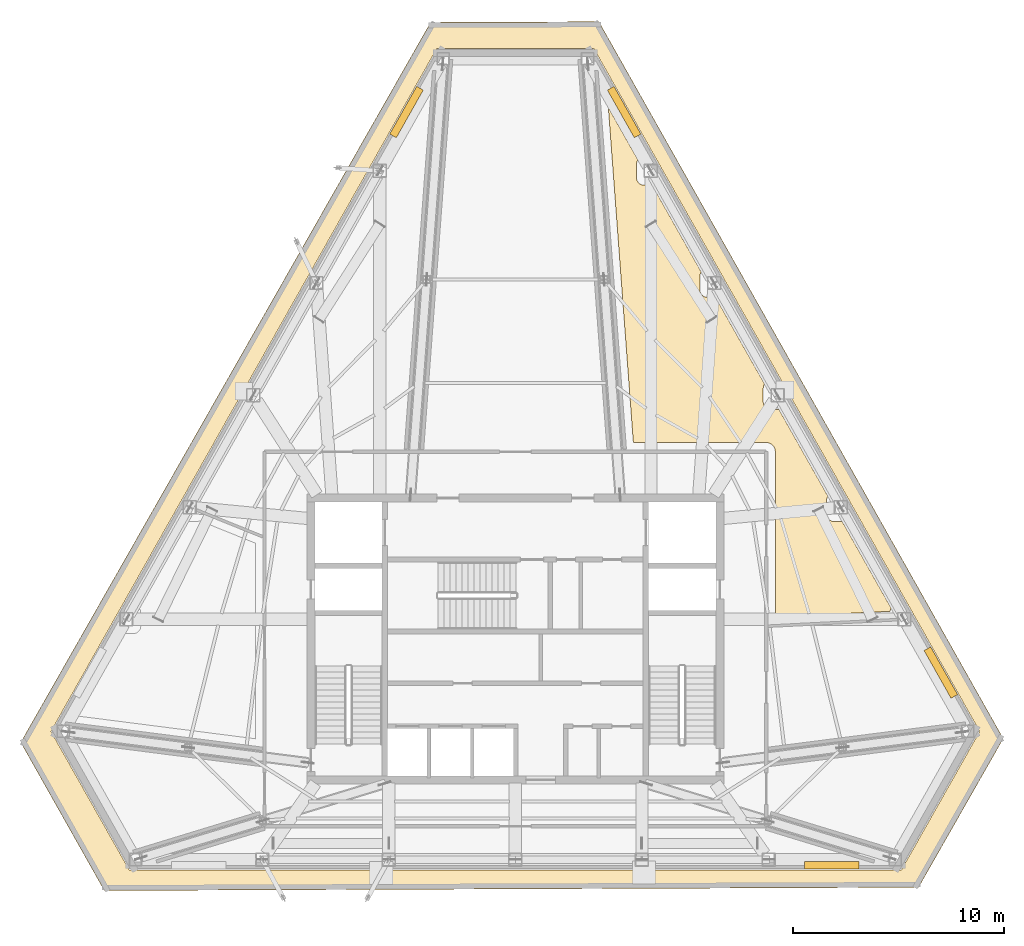
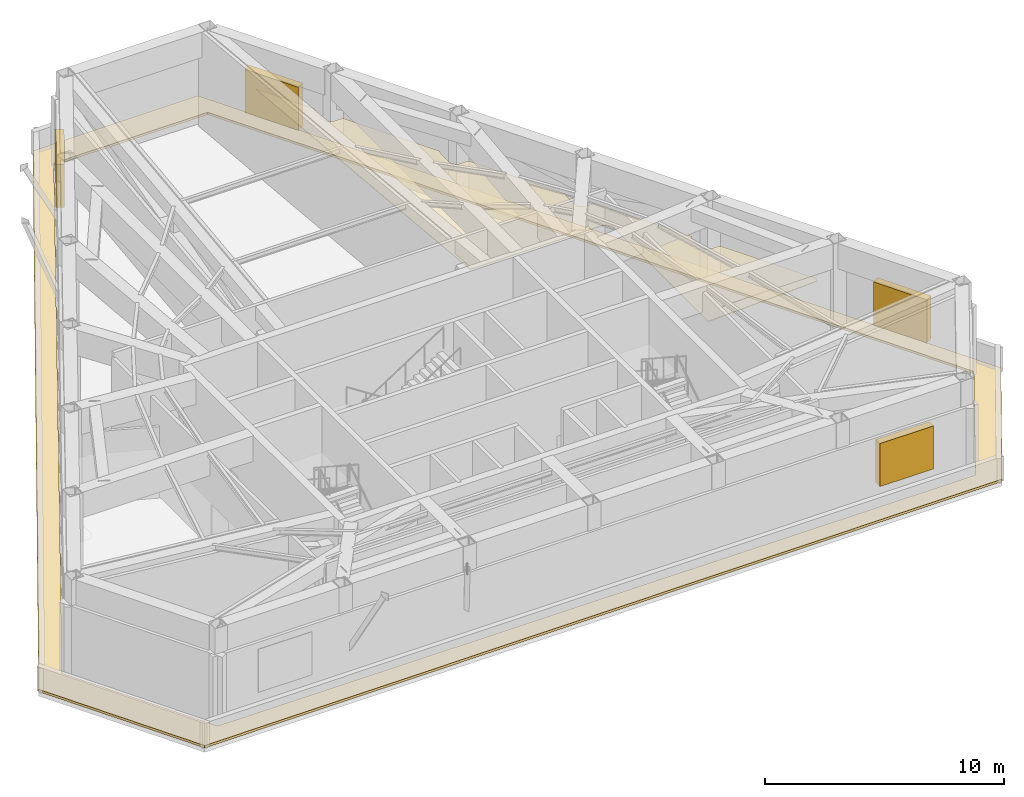
# One storey, part 13 of 13: 4 shading devices, 2 coverings.
"""IFC4 building model written with IfcOpenShell, lengths in metres."""

from ifc_helpers import new_model, si_unit, direction, frame, origin, origin_2d, place, context, subcontext, project, spatial, polyline, rectangle, outline, extrude, material, layer, layer_set, type_object, element, save


model = new_model("IFC4")

# Units and contexts
model_context = context("Model", 3, precision=1e-05, world=origin(), true_north=direction((0.0, 1.0)))
body_context = subcontext(model_context, "Body", "Model", "MODEL_VIEW")
ifc_project = project(units=[si_unit("LENGTHUNIT", "METRE"), si_unit("AREAUNIT", "SQUARE_METRE"), si_unit("VOLUMEUNIT", "CUBIC_METRE"), si_unit("PLANEANGLEUNIT", "RADIAN"), si_unit("MASSUNIT", "GRAM", prefix="KILO")], contexts=[model_context])

# Site, building, storey
site_placement = place(None, origin())
site = spatial("IfcSite", under=ifc_project, at=site_placement, CompositionType="ELEMENT")
building_placement = place(site_placement, origin())
building = spatial("IfcBuilding", under=site, at=building_placement, Name="Kavelnor Concourse Tower", CompositionType="ELEMENT")
storey_placement = place(building_placement, frame((0.0, 0.0, 234.300048828125)))
storey = spatial("IfcBuildingStorey", under=building, at=storey_placement, Name="L59", CompositionType="ELEMENT", Elevation=234.300048828125)

# Coverings
ifc_material_1 = material(Name="Mineral fibre acoustic ceiling tile")
ifc_layer_1 = layer(ifc_material_1, 0.0400390625, Name="Mineral fibre acoustic ceiling tile")
ifc_layer_set_1 = layer_set([ifc_layer_1], Name="Mineral fibre acoustic ceiling tile")
covering_type_1 = type_object("IfcCoveringType", Name="COV-CEILING-ACOUSTIC", PredefinedType="CEILING", material=ifc_layer_set_1)
covering_1_placement = place(storey_placement, frame((0.0, 0.0, 2.75)))
element("IfcCovering", 1, at=covering_1_placement, inside=storey, type_object=covering_type_1, Name="L59 Suspended Acoustic Ceiling", PredefinedType="CEILING", context=body_context, shape_type="SweptSolid", body=[
    extrude(outline(polyline([(42.416259765625, 41.326416015625), (43.818603515625, 38.844482421875), (43.816162109375, 38.84130859375), (43.7978515625, 38.81103515625), (43.78271484375, 38.779052734375), (43.77099609375, 38.74560546875), (43.76220703125, 38.71142578125), (43.757080078125, 38.676513671875), (43.755859375, 38.6494140625), (43.755859375, 37.992919921875), (43.757080078125, 37.9658203125), (43.76220703125, 37.930908203125), (43.77099609375, 37.896484375), (43.78271484375, 37.86328125), (43.7978515625, 37.831298828125), (43.816162109375, 37.80078125), (43.837158203125, 37.7724609375), (43.861083984375, 37.746337890625), (43.88720703125, 37.722412109375), (43.91552734375, 37.701416015625), (43.94580078125, 37.68310546875), (43.977783203125, 37.668212890625), (44.01123046875, 37.65625), (44.04541015625, 37.647705078125), (44.08056640625, 37.642333984375), (44.107421875, 37.64111328125), (44.498291015625, 37.64111328125), (46.825927734375, 33.521728515625), (46.823486328125, 33.5185546875), (46.805419921875, 33.48828125), (46.790283203125, 33.456298828125), (46.7783203125, 33.4228515625), (46.769775390625, 33.388671875), (46.764404296875, 33.353515625), (46.76318359375, 33.32666015625), (46.76318359375, 32.669921875), (46.764404296875, 32.64306640625), (46.769775390625, 32.60791015625), (46.7783203125, 32.57373046875), (46.790283203125, 32.540283203125), (46.805419921875, 32.50830078125), (46.823486328125, 32.47802734375), (46.844482421875, 32.44970703125), (46.868408203125, 32.423583984375), (46.89453125, 32.399658203125), (46.923095703125, 32.378662109375), (46.953369140625, 32.3603515625), (46.9853515625, 32.34521484375), (47.0185546875, 32.33349609375), (47.052978515625, 32.32470703125), (47.087890625, 32.319580078125), (47.114990234375, 32.318359375), (47.505859375, 32.318359375), (49.833251953125, 28.198974609375), (49.830810546875, 28.19580078125), (49.812744140625, 28.165283203125), (49.797607421875, 28.13330078125), (49.78564453125, 28.10009765625), (49.777099609375, 28.06591796875), (49.77197265625, 28.03076171875), (49.7705078125, 28.00390625), (49.7705078125, 27.34716796875), (49.77197265625, 27.3203125), (49.777099609375, 27.28515625), (49.78564453125, 27.2509765625), (49.797607421875, 27.217529296875), (49.812744140625, 27.185546875), (49.830810546875, 27.1552734375), (49.85205078125, 27.126953125), (49.875732421875, 27.1005859375), (49.902099609375, 27.076904296875), (49.930419921875, 27.055908203125), (49.960693359375, 27.03759765625), (49.99267578125, 27.0224609375), (50.02587890625, 27.010498046875), (50.060302734375, 27.001953125), (50.09521484375, 26.996826171875), (50.122314453125, 26.99560546875), (50.51318359375, 26.99560546875), (52.8408203125, 22.8759765625), (52.83837890625, 22.872802734375), (52.820068359375, 22.842529296875), (52.804931640625, 22.810546875), (52.793212890625, 22.777099609375), (52.784423828125, 22.742919921875), (52.779296875, 22.7080078125), (52.778076171875, 22.680908203125), (52.778076171875, 22.0244140625), (52.779296875, 21.997314453125), (52.784423828125, 21.96240234375), (52.793212890625, 21.927978515625), (52.804931640625, 21.894775390625), (52.820068359375, 21.86279296875), (52.83837890625, 21.83251953125), (52.859375, 21.803955078125), (52.88330078125, 21.77783203125), (52.909423828125, 21.75390625), (52.937744140625, 21.73291015625), (52.968017578125, 21.714599609375), (53.0, 21.69970703125), (53.033447265625, 21.687744140625), (53.067626953125, 21.67919921875), (53.102783203125, 21.673828125), (53.129638671875, 21.672607421875), (53.5205078125, 21.672607421875), (55.84814453125, 17.55322265625), (55.845703125, 17.550048828125), (55.827392578125, 17.519775390625), (55.8125, 17.48779296875), (55.800537109375, 17.454345703125), (55.7919921875, 17.420166015625), (55.79052734375, 17.411376953125), (50.342529296875, 17.136962890625), (50.342529296875, 24.998291015625), (50.3408203125, 25.032470703125), (50.334716796875, 25.074462890625), (50.32421875, 25.11572265625), (50.31005859375, 25.15576171875), (50.291748046875, 25.194091796875), (50.27001953125, 25.23046875), (50.24462890625, 25.2646484375), (50.216064453125, 25.296142578125), (50.1845703125, 25.32470703125), (50.150390625, 25.35009765625), (50.114013671875, 25.371826171875), (50.07568359375, 25.389892578125), (50.03564453125, 25.404296875), (49.994384765625, 25.41455078125), (49.952392578125, 25.4208984375), (49.918212890625, 25.422607421875), (43.60400390625, 25.422607421875), (42.416259765625, 41.326416015625)])), origin(), (0.0, 0.0, 1.0), 0.0400390625),
])
ifc_material_2 = material(Name="Elastomeric waterproofing membrane and rigid insulation")
ifc_layer_2 = layer(ifc_material_2, 0.1201171875, Name="Elastomeric waterproofing membrane and rigid insulation")
ifc_layer_set_2 = layer_set([ifc_layer_2], Name="Elastomeric waterproofing membrane and rigid insulation")
covering_type_2 = type_object("IfcCoveringType", Name="COV-ROOF-MEMBRANE", PredefinedType="ROOFING", material=ifc_layer_set_2)
covering_2_placement = place(storey_placement, origin())
element("IfcCovering", 2, at=covering_2_placement, inside=storey, type_object=covering_type_2, Name="L59 Setback Waterproofing Roof Membrane 1", PredefinedType="ROOFING", context=body_context, shape_type="SweptSolid", body=[
    extrude(outline(polyline([(61.170654296875, 11.36767578125), (57.147216796875, 4.299560546875), (18.482421875, 4.1484375), (14.51318359375, 11.185302734375), (33.976806640625, 45.377685546875), (41.96923828125, 45.4091796875), (61.170654296875, 11.36767578125)]), holes=[polyline([(34.27978515625, 44.143798828125), (15.952880859375, 11.70703125), (19.672607421875, 5.123291015625), (56.327392578125, 5.123291015625), (60.047119140625, 11.70703125), (41.72021484375, 44.143798828125), (34.27978515625, 44.143798828125)])]), origin(), (0.0, 0.0, 1.0), 0.119873046875),
])

# Shading devices
ifc_material_3 = material(Name="Architectural bronze-anodised aluminium", Category="aluminium")
ifc_layer_3 = layer(ifc_material_3, 0.074951171875, Name="Architectural bronze-anodised aluminium")
ifc_layer_set_3 = layer_set([ifc_layer_3], Name="Architectural bronze-anodised aluminium")
shading_device_type = type_object("IfcShadingDeviceType", Name="SHD-PLANT-LOUVRE", PredefinedType="USERDEFINED", material=ifc_layer_set_3)
for number, where, z_axis, x_axis, name in (
    (3, (32.832763671875, 41.115234375, 1.10009765625), (0.0, 0.0, 1.0), (0.491967775447, 0.870613408995, 0.0), "L59 Plant Acoustic Intake Louvre F0-B0"),
    (4, (53.029541015625, 5.353271484375, 1.10009765625), (0.0, 0.0, 1.0), (-1.0, 0.0, 0.0), "L59 Plant Acoustic Intake Louvre F1-B5"),
    (5, (58.2041015625, 14.501220703125, 1.10009765625), (0.0, 0.0, 1.0), (0.491967775447, -0.870613408995, 0.0), "L59 Plant Acoustic Intake Louvre F2-B0"),
    (6, (43.167236328125, 41.115234375, 1.10009765625), (0.0, 0.0, 1.0), (0.491967775447, -0.870613408995, 0.0), "L59 Plant Acoustic Intake Louvre F2-B5"),
):
    element("IfcShadingDevice", number, at=place(storey_placement, frame(where, z_axis=z_axis, x_axis=x_axis)), inside=storey, type_object=shading_device_type, Name=name, ObjectType="LOUVRE", PredefinedType="USERDEFINED", context=body_context, shape_type="SweptSolid", body=[
        extrude(rectangle(XDim=2.60009765625, YDim=0.360107421875, at=origin_2d()), origin(), (0.0, 0.0, 1.0), 2.199951171875),
    ])

save(model, "model.ifc")
